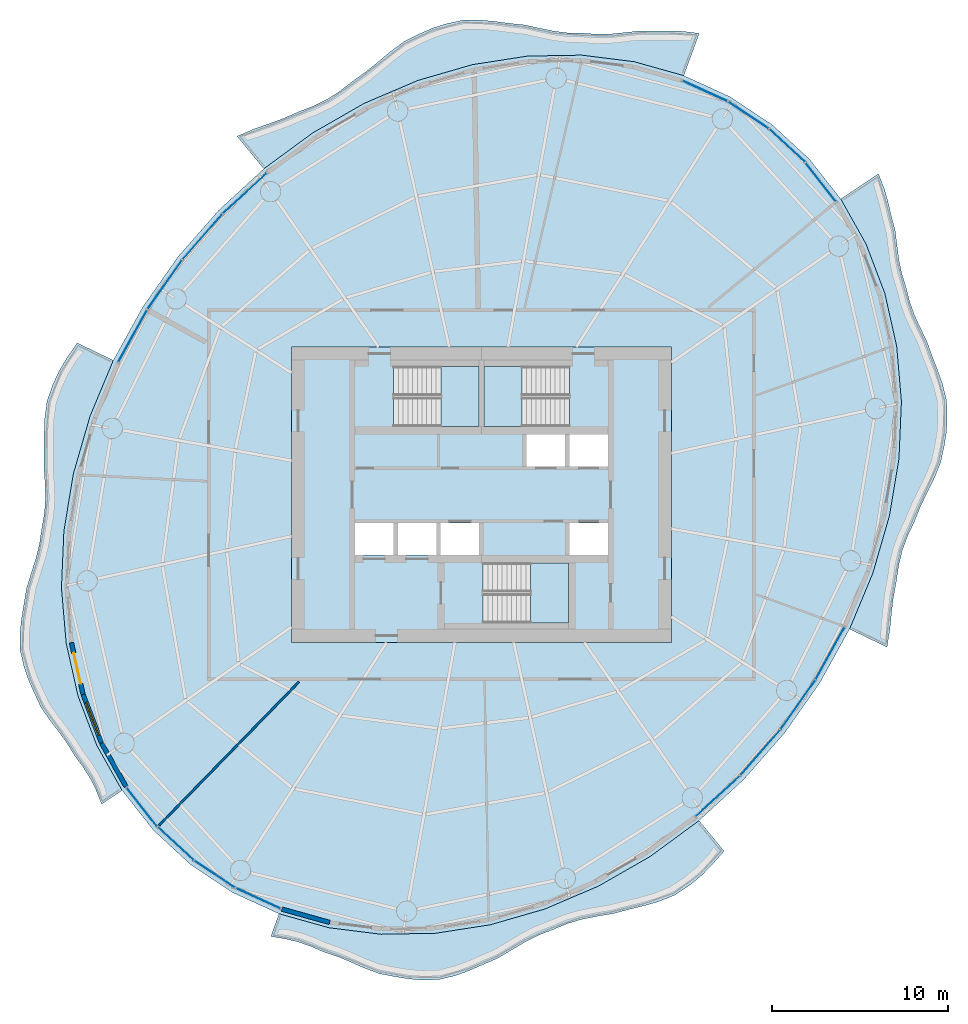
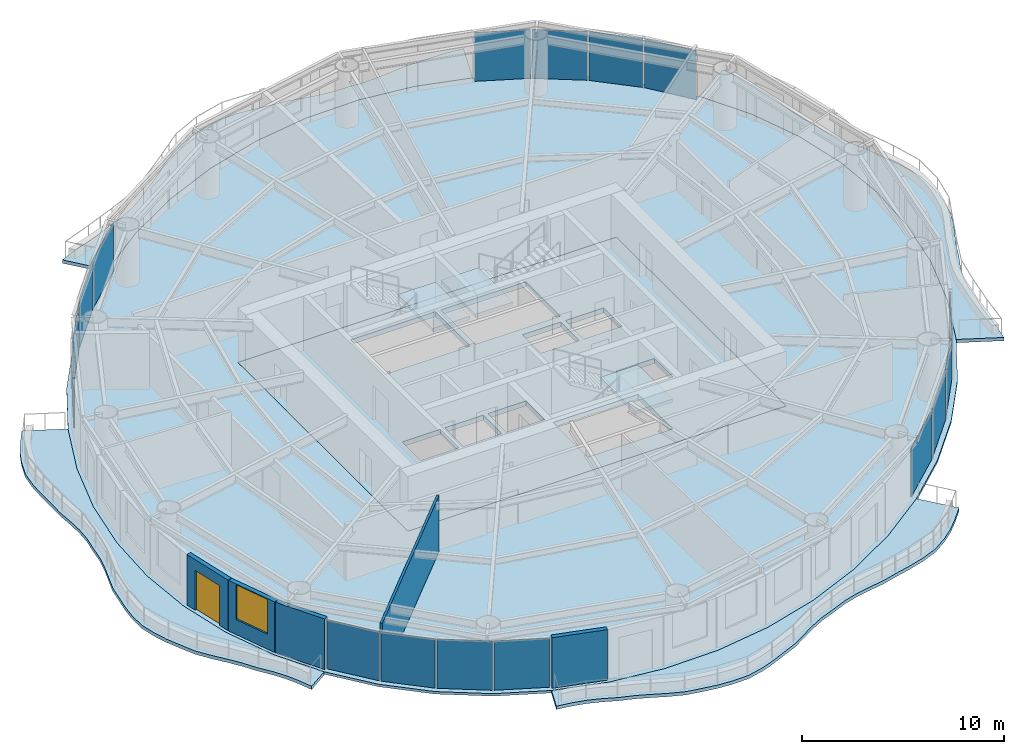
# One storey, part 7 of 14: 16 plates, 9 slabs, 5 walls, 1 door, 1 window, 2 openings, 19 elements without a shape of their own.
"""IFC4 building model written with IfcOpenShell, lengths in metres."""

from ifc_helpers import new_model, si_unit, direction, frame, frame_2d, origin, origin_2d, place, context, subcontext, project, spatial, polyline, rectangle, outline, extrude, material, layer, layer_set, type_object, element, fill, aggregate, save


model = new_model("IFC4")

# Units and contexts
model_context = context("Model", 3, precision=1e-05, world=origin(), true_north=direction((0.0, 1.0)))
body_context = subcontext(model_context, "Body", "Model", "MODEL_VIEW")
ifc_project = project(units=[si_unit("LENGTHUNIT", "METRE"), si_unit("AREAUNIT", "SQUARE_METRE"), si_unit("VOLUMEUNIT", "CUBIC_METRE"), si_unit("PLANEANGLEUNIT", "RADIAN"), si_unit("MASSUNIT", "GRAM", prefix="KILO")], contexts=[model_context])

# Site, building, storey
site_placement = place(None, origin())
site = spatial("IfcSite", under=ifc_project, at=site_placement, CompositionType="ELEMENT")
building_placement = place(site_placement, origin())
building = spatial("IfcBuilding", under=site, at=building_placement, Name="Vermilion Reach Broadcast Tower", CompositionType="ELEMENT")
storey_placement = place(building_placement, frame((0.0, 0.0, 238.89990234375)))
storey = spatial("IfcBuildingStorey", under=building, at=storey_placement, Name="L59", CompositionType="ELEMENT", Elevation=238.89990234375)

# Slabs
ifc_material_1 = material(Name="Concrete C40/50", Category="concrete")
ifc_layer_1 = layer(ifc_material_1, 0.199951171875)
ifc_layer_set_1 = layer_set([ifc_layer_1], Name="Balcony slab 200")
slab_type_1 = type_object("IfcSlabType", Name="Balcony slab 200", PredefinedType="FLOOR", material=ifc_layer_set_1)
placement_1 = place(storey_placement, frame((0.0, 0.0, -0.199951171875)))
element("IfcSlab", 1, at=placement_1, inside=storey, type_object=slab_type_1, Name="Balcony slab L59 group 1", PredefinedType="FLOOR", context=body_context, shape_type="SweptSolid", body=[
    extrude(outline(polyline([(5.509521484375, 23.833740234375), (2.67822265625, 24.62744140625), (-0.301513671875, 24.99951171875), (-3.378662109375, 24.944091796875), (-6.500732421875, 24.461669921875), (-9.6142578125, 23.560791015625), (-12.665771484375, 22.2568359375), (-15.603515625, 20.572021484375), (-18.376708984375, 18.53515625), (-19.899658203125, 20.38671875), (-18.96484375, 20.788818359375), (-18.117919921875, 21.089111328125), (-17.27490234375, 21.39453125), (-16.390869140625, 21.78125), (-15.5166015625, 22.122314453125), (-14.756591796875, 22.498779296875), (-14.04345703125, 22.95703125), (-13.30224609375, 23.533935546875), (-12.540283203125, 24.074462890625), (-11.871826171875, 24.621337890625), (-11.207763671875, 25.1787109375), (-10.403564453125, 25.77294921875), (-9.536376953125, 26.20703125), (-8.787353515625, 26.533447265625), (-8.014892578125, 26.779541015625), (-7.05908203125, 26.98876953125), (-6.093505859375, 26.998046875), (-5.282958984375, 26.92431640625), (-4.467041015625, 26.816162109375), (-3.531005859375, 26.71875), (-2.6376953125, 26.52099609375), (-1.865234375, 26.3642578125), (-1.093994140625, 26.269775390625), (-0.23486328125, 26.251220703125), (0.603515625, 26.188720703125), (1.362548828125, 26.20703125), (2.12841796875, 26.28271484375), (3.031494140625, 26.381591796875), (3.927734375, 26.36181640625), (4.694091796875, 26.372314453125), (5.452880859375, 26.35595703125), (6.3896484375, 26.24072265625), (5.509521484375, 23.833740234375)])), origin(), (0.0, 0.0, 1.0), 0.199951171875),
])
element("IfcSlab", 2, at=placement_1, inside=storey, type_object=slab_type_1, Name="Balcony slab L59 group 2", PredefinedType="FLOOR", context=body_context, shape_type="SweptSolid", body=[
    extrude(outline(polyline([(-26.9365234375, 7.64208984375), (-28.259521484375, 4.4658203125), (-29.201904296875, 1.213134765625), (-29.747314453125, -2.060302734375), (-29.88623046875, -5.298583984375), (-29.616455078125, -8.4462890625), (-28.942626953125, -11.44921875), (-27.876220703125, -14.25634765625), (-26.435791015625, -16.819580078125), (-27.597900390625, -17.5966796875), (-27.9189453125, -16.81005859375), (-28.24560546875, -16.150390625), (-28.634765625, -15.52587890625), (-29.1337890625, -14.8447265625), (-29.58935546875, -14.10400390625), (-30.048095703125, -13.475341796875), (-30.526611328125, -12.85400390625), (-31.057861328125, -12.084716796875), (-31.456787109375, -11.224853515625), (-31.771728515625, -10.5068359375), (-32.02099609375, -9.774169921875), (-32.234619140625, -8.85009765625), (-32.243408203125, -7.878662109375), (-32.164306640625, -7.0791015625), (-32.030029296875, -6.27490234375), (-31.875244140625, -5.341064453125), (-31.5908203125, -4.414306640625), (-31.337890625, -3.6142578125), (-31.137939453125, -2.811767578125), (-31.007568359375, -1.928955078125), (-30.85205078125, -1.03515625), (-30.7978515625, -0.203125), (-30.8212890625, 0.641845703125), (-30.88525390625, 1.595703125), (-30.865966796875, 2.57666015625), (-30.87109375, 3.45947265625), (-30.84033203125, 4.33203125), (-30.705078125, 5.326171875), (-30.374267578125, 6.278564453125), (-30.009765625, 7.05859375), (-29.560302734375, 7.80322265625), (-28.993896484375, 8.634765625), (-26.9365234375, 7.64208984375)])), origin(), (0.0, 0.0, 1.0), 0.199951171875),
])
element("IfcSlab", 3, at=placement_1, inside=storey, type_object=slab_type_1, Name="Balcony slab L59 group 3", PredefinedType="FLOOR", context=body_context, shape_type="SweptSolid", body=[
    extrude(outline(polyline([(-17.509521484375, -23.833740234375), (-14.67822265625, -24.62744140625), (-11.698486328125, -24.99951171875), (-8.621337890625, -24.944091796875), (-5.499267578125, -24.461669921875), (-2.3857421875, -23.560791015625), (0.665771484375, -22.2568359375), (3.603515625, -20.572021484375), (6.376708984375, -18.53515625), (7.80615234375, -20.27294921875), (7.138671875, -21.02587890625), (6.52880859375, -21.648681640625), (5.865478515625, -22.198486328125), (5.02587890625, -22.7568359375), (4.096923828125, -23.134033203125), (3.2607421875, -23.37744140625), (2.4033203125, -23.584228515625), (1.4521484375, -23.834716796875), (0.505615234375, -23.9931640625), (-0.324951171875, -24.16064453125), (-1.125732421875, -24.3984375), (-1.962158203125, -24.748046875), (-2.792236328125, -25.071044921875), (-3.527587890625, -25.4453125), (-4.2470703125, -25.8740234375), (-5.078369140625, -26.36669921875), (-5.9462890625, -26.740234375), (-6.69482421875, -27.067626953125), (-7.451416015625, -27.343505859375), (-8.395263671875, -27.576904296875), (-9.343017578125, -27.600830078125), (-10.113525390625, -27.5439453125), (-10.88525390625, -27.417724609375), (-11.817626953125, -27.240478515625), (-12.693603515625, -26.90869140625), (-13.41015625, -26.589599609375), (-14.129150390625, -26.28759765625), (-14.95703125, -26.011474609375), (-15.73583984375, -25.6767578125), (-16.431396484375, -25.434814453125), (-17.146240234375, -25.261474609375), (-17.98193359375, -25.125732421875), (-17.509521484375, -23.833740234375)])), origin(), (0.0, 0.0, 1.0), 0.199951171875),
])
element("IfcSlab", 4, at=placement_1, inside=storey, type_object=slab_type_1, Name="Balcony slab L59 group 4", PredefinedType="FLOOR", context=body_context, shape_type="SweptSolid", body=[
    extrude(outline(polyline([(14.9365234375, -7.64208984375), (16.259521484375, -4.4658203125), (17.201904296875, -1.213134765625), (17.747314453125, 2.060302734375), (17.88623046875, 5.298583984375), (17.616455078125, 8.4462890625), (16.942626953125, 11.44921875), (15.876220703125, 14.25634765625), (14.435791015625, 16.819580078125), (16.58154296875, 18.25439453125), (16.924072265625, 17.375), (17.12548828125, 16.64501953125), (17.29931640625, 15.8994140625), (17.53125, 15.030517578125), (17.6455078125, 14.12548828125), (17.74560546875, 13.3603515625), (17.897216796875, 12.614990234375), (18.144775390625, 11.810546875), (18.353515625, 10.977294921875), (18.61669921875, 10.247802734375), (18.94287109375, 9.5322265625), (19.34033203125, 8.712158203125), (19.65478515625, 7.828125), (19.9560546875, 7.061279296875), (20.226318359375, 6.291748046875), (20.456298828125, 5.353271484375), (20.491943359375, 4.375732421875), (20.44873046875, 3.566650390625), (20.3212890625, 2.760986328125), (20.1142578125, 1.8134765625), (19.732666015625, 0.888671875), (19.349365234375, 0.111328125), (18.97216796875, -0.6669921875), (18.61865234375, -1.53515625), (18.221923828125, -2.389892578125), (17.931884765625, -3.1875), (17.732421875, -4.010986328125), (17.5966796875, -4.936279296875), (17.422607421875, -5.882080078125), (17.321533203125, -6.77197265625), (17.2314453125, -7.666259765625), (17.068359375, -8.6708984375), (14.9365234375, -7.64208984375)])), origin(), (0.0, 0.0, 1.0), 0.199951171875),
])
ifc_material_2 = material(Name="Concrete C40", Category="concrete")
ifc_layer_2 = layer(ifc_material_2, 0.300048828125)
ifc_layer_set_2 = layer_set([ifc_layer_2], Name="Core floor slab 300 mm Concrete C40")
slab_type_2 = type_object("IfcSlabType", Name="Core floor slab 300 mm Concrete C40", PredefinedType="FLOOR", material=ifc_layer_set_2)
slab_5_placement = place(storey_placement, frame((0.0, 0.0, -0.2998046875)))
element("IfcSlab", 5, at=slab_5_placement, inside=storey, type_object=slab_type_2, Name="L59 core floor", PredefinedType="FLOOR", context=body_context, shape_type="SweptSolid", body=[
    extrude(outline(polyline([(-16.800048828125, -8.39990234375), (4.800048828125, -8.39990234375), (4.800048828125, 8.39990234375), (-16.800048828125, 8.39990234375), (-16.800048828125, -8.39990234375)]), holes=[polyline([(-3.433349609375, 1.60009765625), (-1.24169921875, 1.60009765625), (-1.24169921875, 3.429931640625), (-3.433349609375, 3.429931640625), (-3.433349609375, 1.60009765625)]), polyline([(-0.99169921875, 1.60009765625), (1.199951171875, 1.60009765625), (1.199951171875, 3.429931640625), (-0.99169921875, 3.429931640625), (-0.99169921875, 1.60009765625)]), polyline([(-13.199951171875, -3.429931640625), (-11.00830078125, -3.429931640625), (-11.00830078125, -1.60009765625), (-13.199951171875, -1.60009765625), (-13.199951171875, -3.429931640625)]), polyline([(-10.75830078125, -3.429931640625), (-8.566650390625, -3.429931640625), (-8.566650390625, -1.60009765625), (-10.75830078125, -1.60009765625), (-10.75830078125, -3.429931640625)]), polyline([(-8.316650390625, -3.429931640625), (-6.125, -3.429931640625), (-6.125, -1.60009765625), (-8.316650390625, -1.60009765625), (-8.316650390625, -3.429931640625)]), polyline([(-0.99169921875, -3.429931640625), (1.199951171875, -3.429931640625), (1.199951171875, -1.60009765625), (-0.99169921875, -1.60009765625), (-0.99169921875, -3.429931640625)]), polyline([(-10.999267578125, 3.8798828125), (-6.14990234375, 3.8798828125), (-6.14990234375, 7.300048828125), (-10.999267578125, 7.300048828125), (-10.999267578125, 3.8798828125)]), polyline([(-1.000732421875, 7.300048828125), (-5.85009765625, 7.300048828125), (-5.85009765625, 3.8798828125), (-1.000732421875, 3.8798828125), (-1.000732421875, 7.300048828125)]), polyline([(-5.8994140625, -7.300048828125), (-1.050048828125, -7.300048828125), (-1.050048828125, -3.8798828125), (-5.8994140625, -3.8798828125), (-5.8994140625, -7.300048828125)])]), origin(), (0.0, 0.0, 1.0), 0.2998046875),
])

# Stair, slab
ifc_material_3 = material(Name="Concrete C40", Category="concrete")
stair_type = type_object("IfcStairType", Name="Exit stair RC 22 risers 164 mm", PredefinedType="HALF_TURN_STAIR", material=ifc_material_3)
placement_2 = place(storey_placement, origin())
stair_1 = element("IfcStair", 6, at=placement_2, inside=storey, type_object=stair_type, Name="L59 Exit stair ST1", PredefinedType="HALF_TURN_STAIR")
ifc_material_4 = material(Name="Concrete C40", Category="concrete")
ifc_layer_3 = layer(ifc_material_4, 0.199951171875)
ifc_layer_set_3 = layer_set([ifc_layer_3], Name="Exit stair landing Concrete C40")
slab_type_3 = type_object("IfcSlabType", Name="Exit stair landing Concrete C40", PredefinedType="LANDING", material=ifc_layer_set_3)
placement_3 = place(storey_placement, frame((0.0, 0.0, 1.60009765625)))
slab_6 = element("IfcSlab", 7, at=placement_3, type_object=slab_type_3, Name="ST1 landing 1", PredefinedType="LANDING", context=body_context, shape_type="SweptSolid", body=[
    extrude(outline(polyline([(-8.300048828125, 3.8798828125), (-6.14990234375, 3.8798828125), (-6.14990234375, 7.300048828125), (-8.300048828125, 7.300048828125), (-8.300048828125, 3.8798828125)])), origin(), (0.0, 0.0, 1.0), 0.199951171875),
])
aggregate(stair_1, [slab_6])

stair_2 = element("IfcStair", 8, at=placement_2, inside=storey, type_object=stair_type, Name="L59 Exit stair ST2", PredefinedType="HALF_TURN_STAIR")
slab_7 = element("IfcSlab", 9, at=placement_3, type_object=slab_type_3, Name="ST2 landing 1", PredefinedType="LANDING", context=body_context, shape_type="SweptSolid", body=[
    extrude(outline(polyline([(-3.699951171875, 7.300048828125), (-5.85009765625, 7.300048828125), (-5.85009765625, 3.8798828125), (-3.699951171875, 3.8798828125), (-3.699951171875, 7.300048828125)])), origin(), (0.0, 0.0, 1.0), 0.199951171875),
])
aggregate(stair_2, [slab_7])

stair_3 = element("IfcStair", 10, at=placement_2, inside=storey, type_object=stair_type, Name="L59 Exit stair ST3", PredefinedType="HALF_TURN_STAIR")
slab_8 = element("IfcSlab", 11, at=placement_3, type_object=slab_type_3, Name="ST3 landing 1", PredefinedType="LANDING", context=body_context, shape_type="SweptSolid", body=[
    extrude(outline(polyline([(-3.199951171875, -7.300048828125), (-1.050048828125, -7.300048828125), (-1.050048828125, -3.8798828125), (-3.199951171875, -3.8798828125), (-3.199951171875, -7.300048828125)])), origin(), (0.0, 0.0, 1.0), 0.199951171875),
])
aggregate(stair_3, [slab_8])

# Slab
ifc_material_5 = material(Name="Concrete C40", Category="concrete")
ifc_layer_4 = layer(ifc_material_5, 0.14990234375)
ifc_layer_set_4 = layer_set([ifc_layer_4], Name="Floor slab Concrete C40 composite 150")
slab_type_4 = type_object("IfcSlabType", Name="Floor slab Concrete C40 composite 150", PredefinedType="FLOOR", material=ifc_layer_set_4)
slab_9_placement = place(storey_placement, frame((0.0, 0.0, -0.14990234375)))
element("IfcSlab", 12, at=slab_9_placement, inside=storey, type_object=slab_type_4, Name="Floor slab L59", PredefinedType="FLOOR", context=body_context, shape_type="SweptSolid", body=[
    extrude(outline(polyline([(10.535888671875, 21.043701171875), (8.143798828125, 22.63232421875), (5.509521484375, 23.833740234375), (2.67822265625, 24.62744140625), (-0.301513671875, 24.99951171875), (-3.378662109375, 24.944091796875), (-6.500732421875, 24.461669921875), (-9.6142578125, 23.560791015625), (-12.665771484375, 22.2568359375), (-15.603515625, 20.572021484375), (-18.376708984375, 18.53515625), (-20.938232421875, 16.18115234375), (-23.244140625, 13.55029296875), (-25.255126953125, 10.687744140625), (-26.9365234375, 7.64208984375), (-28.259521484375, 4.4658203125), (-29.201904296875, 1.213134765625), (-29.747314453125, -2.060302734375), (-29.88623046875, -5.298583984375), (-29.616455078125, -8.4462890625), (-28.942626953125, -11.44921875), (-27.876220703125, -14.25634765625), (-26.435791015625, -16.819580078125), (-24.645263671875, -19.094970703125), (-22.535888671875, -21.043701171875), (-20.143798828125, -22.63232421875), (-17.509521484375, -23.833740234375), (-14.67822265625, -24.62744140625), (-11.698486328125, -24.99951171875), (-8.621337890625, -24.944091796875), (-5.499267578125, -24.461669921875), (-2.3857421875, -23.560791015625), (0.665771484375, -22.2568359375), (3.603515625, -20.572021484375), (6.376708984375, -18.53515625), (8.938232421875, -16.18115234375), (11.244140625, -13.55029296875), (13.255126953125, -10.687744140625), (14.9365234375, -7.64208984375), (16.259521484375, -4.4658203125), (17.201904296875, -1.213134765625), (17.747314453125, 2.060302734375), (17.88623046875, 5.298583984375), (17.616455078125, 8.4462890625), (16.942626953125, 11.44921875), (15.876220703125, 14.25634765625), (14.435791015625, 16.819580078125), (12.645263671875, 19.094970703125), (10.535888671875, 21.043701171875)]), holes=[polyline([(-16.800048828125, -8.39990234375), (4.800048828125, -8.39990234375), (4.800048828125, 8.39990234375), (-16.800048828125, 8.39990234375), (-16.800048828125, -8.39990234375)])]), origin(), (0.0, 0.0, 1.0), 0.14990234375),
])

# Curtain wall, plate
ifc_material_6 = material(Name="Low-e laminated clear glass in aluminium frame", Category="aluminium")
curtain_wall_type = type_object("IfcCurtainWallType", Name="Slot curtain wall", PredefinedType="NOTDEFINED", material=ifc_material_6)
curtain_wall_1 = element("IfcCurtainWall", 13, at=placement_2, inside=storey, type_object=curtain_wall_type, Name="Slot curtain wall L59 46", PredefinedType="NOTDEFINED")
ifc_material_7 = material(Name="Low-e laminated clear glass", Category="glass")
ifc_layer_5 = layer(ifc_material_7, 0.028076171875)
ifc_layer_set_5 = layer_set([ifc_layer_5], Name="Slot glass panel")
plate_type = type_object("IfcPlateType", Name="Slot glass panel", PredefinedType="CURTAIN_PANEL", material=ifc_layer_set_5)
plate_1_placement = place(storey_placement, frame((13.3056640625, 17.772216796875, 0.0), z_axis=(0.0, 0.0, 1.0), x_axis=(-0.618345939514, 0.785906037059, 0.0)))
plate_1 = element("IfcPlate", 14, at=plate_1_placement, type_object=plate_type, Name="Slot glass panel L59 46", PredefinedType="CURTAIN_PANEL", context=body_context, shape_type="SweptSolid", body=[
    extrude(rectangle(XDim=2.768310546875, YDim=0.028076171875, at=origin_2d()), origin(), (0.0, 0.0, 1.0), 2.949951171875),
])
aggregate(curtain_wall_1, [plate_1])

curtain_wall_2 = element("IfcCurtainWall", 15, at=placement_2, inside=storey, type_object=curtain_wall_type, Name="Slot curtain wall L59 47", PredefinedType="NOTDEFINED")
plate_2_placement = place(storey_placement, frame((11.3876953125, 19.849609375, 0.0), z_axis=(0.0, 0.0, 1.0), x_axis=(-0.734521039229, 0.678585914184, 0.0)))
plate_2 = element("IfcPlate", 16, at=plate_2_placement, type_object=plate_type, Name="Slot glass panel L59 47", PredefinedType="CURTAIN_PANEL", context=body_context, shape_type="SweptSolid", body=[
    extrude(rectangle(XDim=2.743896484375, YDim=0.028076171875, at=origin_2d()), origin(), (0.0, 0.0, 1.0), 2.949951171875),
])
aggregate(curtain_wall_2, [plate_2])

curtain_wall_3 = element("IfcCurtainWall", 17, at=placement_2, inside=storey, type_object=curtain_wall_type, Name="Slot curtain wall L59 00", PredefinedType="NOTDEFINED")
plate_3_placement = place(storey_placement, frame((9.17431640625, 21.5888671875, 0.0), z_axis=(0.0, 0.0, 1.0), x_axis=(-0.833049164599, 0.553198960014, 0.0)))
plate_3 = element("IfcPlate", 18, at=plate_3_placement, type_object=plate_type, Name="Slot glass panel L59 00", PredefinedType="CURTAIN_PANEL", context=body_context, shape_type="SweptSolid", body=[
    extrude(rectangle(XDim=2.743896484375, YDim=0.028076171875, at=origin_2d()), origin(), (0.0, 0.0, 1.0), 2.949951171875),
])
aggregate(curtain_wall_3, [plate_3])

curtain_wall_4 = element("IfcCurtainWall", 19, at=placement_2, inside=storey, type_object=curtain_wall_type, Name="Slot curtain wall L59 01", PredefinedType="NOTDEFINED")
plate_4_placement = place(storey_placement, frame((6.702392578125, 22.9609375, 0.0), z_axis=(0.0, 0.0, 1.0), x_axis=(-0.909849414024, 0.414938602446, 0.0)))
plate_4 = element("IfcPlate", 20, at=plate_4_placement, type_object=plate_type, Name="Slot glass panel L59 01", PredefinedType="CURTAIN_PANEL", context=body_context, shape_type="SweptSolid", body=[
    extrude(rectangle(XDim=2.768310546875, YDim=0.028076171875, at=origin_2d()), origin(), (0.0, 0.0, 1.0), 2.949951171875),
])
aggregate(curtain_wall_4, [plate_4])

curtain_wall_5 = element("IfcCurtainWall", 21, at=placement_2, inside=storey, type_object=curtain_wall_type, Name="Slot curtain wall L59 10", PredefinedType="NOTDEFINED")
plate_5_placement = place(storey_placement, frame((-19.454833984375, 17.137451171875, 0.0), z_axis=(0.0, 0.0, 1.0), x_axis=(-0.736304260662, -0.676650600924, 0.0)))
plate_5 = element("IfcPlate", 22, at=plate_5_placement, type_object=plate_type, Name="Slot glass panel L59 10", PredefinedType="CURTAIN_PANEL", context=body_context, shape_type="SweptSolid", body=[
    extrude(rectangle(XDim=3.3662109375, YDim=0.028076171875, at=origin_2d()), origin(), (0.0, 0.0, 1.0), 2.949951171875),
])
aggregate(curtain_wall_5, [plate_5])

curtain_wall_6 = element("IfcCurtainWall", 23, at=placement_2, inside=storey, type_object=curtain_wall_type, Name="Slot curtain wall L59 11", PredefinedType="NOTDEFINED")
plate_6_placement = place(storey_placement, frame((-21.865966796875, 14.668212890625, 0.0), z_axis=(0.0, 0.0, 1.0), x_axis=(-0.659140025906, -0.752020229946, 0.0)))
plate_6 = element("IfcPlate", 24, at=plate_6_placement, type_object=plate_type, Name="Slot glass panel L59 11", PredefinedType="CURTAIN_PANEL", context=body_context, shape_type="SweptSolid", body=[
    extrude(rectangle(XDim=3.38623046875, YDim=0.028076171875, at=origin_2d()), origin(), (0.0, 0.0, 1.0), 2.949951171875),
])
aggregate(curtain_wall_6, [plate_6])

curtain_wall_7 = element("IfcCurtainWall", 25, at=placement_2, inside=storey, type_object=curtain_wall_type, Name="Slot curtain wall L59 12", PredefinedType="NOTDEFINED")
plate_7_placement = place(storey_placement, frame((-24.00439453125, 11.94677734375, 0.0), z_axis=(0.0, 0.0, 1.0), x_axis=(-0.574800691632, -0.818293446692, 0.0)))
plate_7 = element("IfcPlate", 26, at=plate_7_placement, type_object=plate_type, Name="Slot glass panel L59 12", PredefinedType="CURTAIN_PANEL", context=body_context, shape_type="SweptSolid", body=[
    extrude(rectangle(XDim=3.38623046875, YDim=0.028076171875, at=origin_2d()), origin(), (0.0, 0.0, 1.0), 2.949951171875),
])
aggregate(curtain_wall_7, [plate_7])

curtain_wall_8 = element("IfcCurtainWall", 27, at=placement_2, inside=storey, type_object=curtain_wall_type, Name="Slot curtain wall L59 13", PredefinedType="NOTDEFINED")
plate_8_placement = place(storey_placement, frame((-25.83349609375, 9.020263671875, 0.0), z_axis=(0.0, 0.0, 1.0), x_axis=(-0.483320051733, -0.875443731826, 0.0)))
plate_8 = element("IfcPlate", 28, at=plate_8_placement, type_object=plate_type, Name="Slot glass panel L59 13", PredefinedType="CURTAIN_PANEL", context=body_context, shape_type="SweptSolid", body=[
    extrude(rectangle(XDim=3.3662109375, YDim=0.028076171875, at=origin_2d()), origin(), (0.0, 0.0, 1.0), 2.949951171875),
])
aggregate(curtain_wall_8, [plate_8])

curtain_wall_9 = element("IfcCurtainWall", 29, at=placement_2, inside=storey, type_object=curtain_wall_type, Name="Slot curtain wall L59 22", PredefinedType="NOTDEFINED")
plate_9_placement = place(storey_placement, frame((-25.3056640625, -17.772216796875, 0.0), z_axis=(0.0, 0.0, 1.0), x_axis=(0.618345939514, -0.785906037059, 0.0)))
plate_9 = element("IfcPlate", 30, at=plate_9_placement, type_object=plate_type, Name="Slot glass panel L59 22", PredefinedType="CURTAIN_PANEL", context=body_context, shape_type="SweptSolid", body=[
    extrude(rectangle(XDim=2.768310546875, YDim=0.028076171875, at=origin_2d()), origin(), (0.0, 0.0, 1.0), 2.949951171875),
])
aggregate(curtain_wall_9, [plate_9])

curtain_wall_10 = element("IfcCurtainWall", 31, at=placement_2, inside=storey, type_object=curtain_wall_type, Name="Slot curtain wall L59 23", PredefinedType="NOTDEFINED")
plate_10_placement = place(storey_placement, frame((-23.3876953125, -19.849609375, 0.0), z_axis=(0.0, 0.0, 1.0), x_axis=(0.734521039229, -0.678585914184, 0.0)))
plate_10 = element("IfcPlate", 32, at=plate_10_placement, type_object=plate_type, Name="Slot glass panel L59 23", PredefinedType="CURTAIN_PANEL", context=body_context, shape_type="SweptSolid", body=[
    extrude(rectangle(XDim=2.743896484375, YDim=0.028076171875, at=origin_2d()), origin(), (0.0, 0.0, 1.0), 2.949951171875),
])
aggregate(curtain_wall_10, [plate_10])

curtain_wall_11 = element("IfcCurtainWall", 33, at=placement_2, inside=storey, type_object=curtain_wall_type, Name="Slot curtain wall L59 24", PredefinedType="NOTDEFINED")
plate_11_placement = place(storey_placement, frame((-21.17431640625, -21.5888671875, 0.0), z_axis=(0.0, 0.0, 1.0), x_axis=(0.833049164599, -0.553198960014, 0.0)))
plate_11 = element("IfcPlate", 34, at=plate_11_placement, type_object=plate_type, Name="Slot glass panel L59 24", PredefinedType="CURTAIN_PANEL", context=body_context, shape_type="SweptSolid", body=[
    extrude(rectangle(XDim=2.743896484375, YDim=0.028076171875, at=origin_2d()), origin(), (0.0, 0.0, 1.0), 2.949951171875),
])
aggregate(curtain_wall_11, [plate_11])

curtain_wall_12 = element("IfcCurtainWall", 35, at=placement_2, inside=storey, type_object=curtain_wall_type, Name="Slot curtain wall L59 25", PredefinedType="NOTDEFINED")
plate_12_placement = place(storey_placement, frame((-18.702392578125, -22.9609375, 0.0), z_axis=(0.0, 0.0, 1.0), x_axis=(0.909849414024, -0.414938602446, 0.0)))
plate_12 = element("IfcPlate", 36, at=plate_12_placement, type_object=plate_type, Name="Slot glass panel L59 25", PredefinedType="CURTAIN_PANEL", context=body_context, shape_type="SweptSolid", body=[
    extrude(rectangle(XDim=2.768310546875, YDim=0.028076171875, at=origin_2d()), origin(), (0.0, 0.0, 1.0), 2.949951171875),
])
aggregate(curtain_wall_12, [plate_12])

curtain_wall_13 = element("IfcCurtainWall", 37, at=placement_2, inside=storey, type_object=curtain_wall_type, Name="Slot curtain wall L59 34", PredefinedType="NOTDEFINED")
plate_13_placement = place(storey_placement, frame((7.454833984375, -17.137451171875, 0.0), z_axis=(0.0, 0.0, 1.0), x_axis=(0.736304260662, 0.676650600924, 0.0)))
plate_13 = element("IfcPlate", 38, at=plate_13_placement, type_object=plate_type, Name="Slot glass panel L59 34", PredefinedType="CURTAIN_PANEL", context=body_context, shape_type="SweptSolid", body=[
    extrude(rectangle(XDim=3.3662109375, YDim=0.028076171875, at=origin_2d()), origin(), (0.0, 0.0, 1.0), 2.949951171875),
])
aggregate(curtain_wall_13, [plate_13])

curtain_wall_14 = element("IfcCurtainWall", 39, at=placement_2, inside=storey, type_object=curtain_wall_type, Name="Slot curtain wall L59 35", PredefinedType="NOTDEFINED")
plate_14_placement = place(storey_placement, frame((9.865966796875, -14.668212890625, 0.0), z_axis=(0.0, 0.0, 1.0), x_axis=(0.659140025906, 0.752020229946, 0.0)))
plate_14 = element("IfcPlate", 40, at=plate_14_placement, type_object=plate_type, Name="Slot glass panel L59 35", PredefinedType="CURTAIN_PANEL", context=body_context, shape_type="SweptSolid", body=[
    extrude(rectangle(XDim=3.38623046875, YDim=0.028076171875, at=origin_2d()), origin(), (0.0, 0.0, 1.0), 2.949951171875),
])
aggregate(curtain_wall_14, [plate_14])

curtain_wall_15 = element("IfcCurtainWall", 41, at=placement_2, inside=storey, type_object=curtain_wall_type, Name="Slot curtain wall L59 36", PredefinedType="NOTDEFINED")
plate_15_placement = place(storey_placement, frame((12.00439453125, -11.94677734375, 0.0), z_axis=(0.0, 0.0, 1.0), x_axis=(0.574800691632, 0.818293446692, 0.0)))
plate_15 = element("IfcPlate", 42, at=plate_15_placement, type_object=plate_type, Name="Slot glass panel L59 36", PredefinedType="CURTAIN_PANEL", context=body_context, shape_type="SweptSolid", body=[
    extrude(rectangle(XDim=3.38623046875, YDim=0.028076171875, at=origin_2d()), origin(), (0.0, 0.0, 1.0), 2.949951171875),
])
aggregate(curtain_wall_15, [plate_15])

curtain_wall_16 = element("IfcCurtainWall", 43, at=placement_2, inside=storey, type_object=curtain_wall_type, Name="Slot curtain wall L59 37", PredefinedType="NOTDEFINED")
plate_16_placement = place(storey_placement, frame((13.83349609375, -9.020263671875, 0.0), z_axis=(0.0, 0.0, 1.0), x_axis=(0.483320051733, 0.875443731826, 0.0)))
plate_16 = element("IfcPlate", 44, at=plate_16_placement, type_object=plate_type, Name="Slot glass panel L59 37", PredefinedType="CURTAIN_PANEL", context=body_context, shape_type="SweptSolid", body=[
    extrude(rectangle(XDim=3.3662109375, YDim=0.028076171875, at=origin_2d()), origin(), (0.0, 0.0, 1.0), 2.949951171875),
])
aggregate(curtain_wall_16, [plate_16])

# Wall
ifc_material_8 = material(Name="Fire-rated plasterboard on steel stud", Category="steel")
ifc_layer_6 = layer(ifc_material_8, 0.125)
ifc_layer_set_6 = layer_set([ifc_layer_6], Name="Partition 125 fire-rated stud")
wall_type_1 = type_object("IfcWallType", Name="Partition 125 fire-rated stud", PredefinedType="PARTITIONING", material=ifc_layer_set_6)
wall_1_placement = place(storey_placement, frame((-24.3330078125, -18.806640625, 0.0), z_axis=(0.0, 0.0, 1.0), x_axis=(0.698033160895, 0.716065434364, 0.0)))
element("IfcWall", 45, at=wall_1_placement, inside=storey, type_object=wall_type_1, Name="Partition 59.05", PredefinedType="PARTITIONING", context=body_context, shape_type="SweptSolid", body=[
    extrude(rectangle(XDim=11.39990234375, YDim=0.125, at=frame_2d((5.699951171875, 0.0))), origin(), (0.0, 0.0, 1.0), 3.400146484375),
])

# Wall, opening, door
ifc_material_9 = material(Name="Terracotta rainscreen cladding", Category="masonry")
ifc_layer_7 = layer(ifc_material_9, 0.25)
ifc_layer_set_7 = layer_set([ifc_layer_7], Name="Terracotta rainscreen wall 250")
wall_type_2 = type_object("IfcWallType", Name="Terracotta rainscreen wall 250", PredefinedType="SOLIDWALL", material=ifc_layer_set_7)
wall_2_placement = place(storey_placement, frame((-29.317138671875, -8.412841796875, 0.0), z_axis=(0.0, 0.0, 1.0), x_axis=(0.218861882791, -0.975755848694, 0.0)))
wall_2 = element("IfcWall", 46, at=wall_2_placement, inside=storey, type_object=wall_type_2, Name="External wall L59 19", PredefinedType="SOLIDWALL", context=body_context, shape_type="SweptSolid", body=[
    extrude(rectangle(XDim=3.0107421875, YDim=0.25, at=frame_2d((1.50537109375, 0.0))), origin(), (0.0, 0.0, 1.0), 3.050048828125),
])
opening_1_placement = place(wall_2_placement, frame((0.60498046875, 0.0, 0.0)))
opening_1 = element("IfcOpeningElement", 47, at=opening_1_placement, cuts=wall_2, Name="Opening D70", PredefinedType="OPENING", context=body_context, shape_type="SweptSolid", body=[
    extrude(rectangle(XDim=1.800048828125, YDim=2.39990234375, at=frame_2d((0.89990234375, 1.199951171875))), frame((0.0, 0.135009765625, 0.0), z_axis=(0.0, -1.0, 0.0), x_axis=(1.0, 0.0, 0.0)), (0.0, 0.0, 1.0), 0.27001953125),
])
ifc_material_10 = material(Name="Low-e laminated clear glass in aluminium frame", Category="aluminium")
door_type = type_object("IfcDoorType", Name="Balcony sliding door 1800 x 2400", OperationType="DOUBLE_DOOR_SLIDING", PredefinedType="DOOR", material=ifc_material_10)
door_placement = place(opening_1_placement, origin())
door = element("IfcDoor", 48, at=door_placement, inside=storey, type_object=door_type, Name="Balcony door L59 run 05", OperationType="DOUBLE_DOOR_SLIDING", OverallHeight=2.39990234375, OverallWidth=1.800048828125, PredefinedType="DOOR", context=body_context, shape_type="SweptSolid", body=[
    extrude(rectangle(XDim=1.800048828125, YDim=2.39990234375, at=frame_2d((0.89990234375, 1.199951171875))), frame((0.0, 0.02490234375, 0.0), z_axis=(0.0, -1.0, 0.0), x_axis=(1.0, 0.0, 0.0)), (0.0, 0.0, 1.0), 0.050048828125),
])
fill(opening_1, door)

# Wall, opening, window
wall_3_placement = place(storey_placement, frame((-28.650634765625, -11.375244140625, 0.0), z_axis=(0.0, 0.0, 1.0), x_axis=(0.35511592295, -0.934822272556, 0.0)))
wall_3 = element("IfcWall", 49, at=wall_3_placement, inside=storey, type_object=wall_type_2, Name="External wall L59 20", PredefinedType="SOLIDWALL", context=body_context, shape_type="SweptSolid", body=[
    extrude(rectangle(XDim=2.932861328125, YDim=0.25, at=frame_2d((1.46630859375, 0.0))), origin(), (0.0, 0.0, 1.0), 3.050048828125),
])
opening_2_placement = place(wall_3_placement, frame((0.466552734375, 0.0, 0.89990234375)))
opening_2 = element("IfcOpeningElement", 50, at=opening_2_placement, cuts=wall_3, Name="Opening W03", PredefinedType="OPENING", context=body_context, shape_type="SweptSolid", body=[
    extrude(rectangle(XDim=2.0, YDim=2.10009765625, at=frame_2d((1.0, 1.050048828125))), frame((0.0, 0.135009765625, 0.0), z_axis=(0.0, -1.0, 0.0), x_axis=(1.0, 0.0, 0.0)), (0.0, 0.0, 1.0), 0.27001953125),
])
ifc_material_11 = material(Name="Low-e laminated clear glass in aluminium frame", Category="aluminium")
window_type = type_object("IfcWindowType", Name="Punched window 2000 x 2100 sill 900", PartitioningType="SINGLE_PANEL", PredefinedType="WINDOW", material=ifc_material_11)
window_placement = place(opening_2_placement, origin())
window = element("IfcWindow", 51, at=window_placement, inside=storey, type_object=window_type, Name="Window L59 20", OverallHeight=2.10009765625, OverallWidth=2.0, PartitioningType="SINGLE_PANEL", PredefinedType="WINDOW", context=body_context, shape_type="SweptSolid", body=[
    extrude(rectangle(XDim=2.0, YDim=2.10009765625, at=frame_2d((1.0, 1.050048828125))), frame((0.0, 0.030029296875, 0.0), z_axis=(0.0, -1.0, 0.0), x_axis=(1.0, 0.0, 0.0)), (0.0, 0.0, 1.0), 0.06005859375),
])
fill(opening_2, window)

# Walls
wall_4_placement = place(storey_placement, frame((-27.597900390625, -14.14111328125, 0.0), z_axis=(0.0, 0.0, 1.0), x_axis=(0.489949521211, -0.871750805371, 0.0)))
element("IfcWall", 52, at=wall_4_placement, inside=storey, type_object=wall_type_2, Name="External wall L59 21", PredefinedType="SOLIDWALL", context=body_context, shape_type="SweptSolid", body=[
    extrude(rectangle(XDim=2.826416015625, YDim=0.25, at=frame_2d((1.4130859375, 0.0))), origin(), (0.0, 0.0, 1.0), 3.050048828125),
])
wall_5_placement = place(storey_placement, frame((-17.353515625, -23.56689453125, 0.0), z_axis=(0.0, 0.0, 1.0), x_axis=(0.962900295721, -0.269857407718, 0.0)))
element("IfcWall", 53, at=wall_5_placement, inside=storey, type_object=wall_type_2, Name="External wall L59 26", PredefinedType="SOLIDWALL", context=body_context, shape_type="SweptSolid", body=[
    extrude(rectangle(XDim=2.826171875, YDim=0.25, at=frame_2d((1.4130859375, 0.0))), origin(), (0.0, 0.0, 1.0), 3.050048828125),
])

save(model, "model.ifc")
